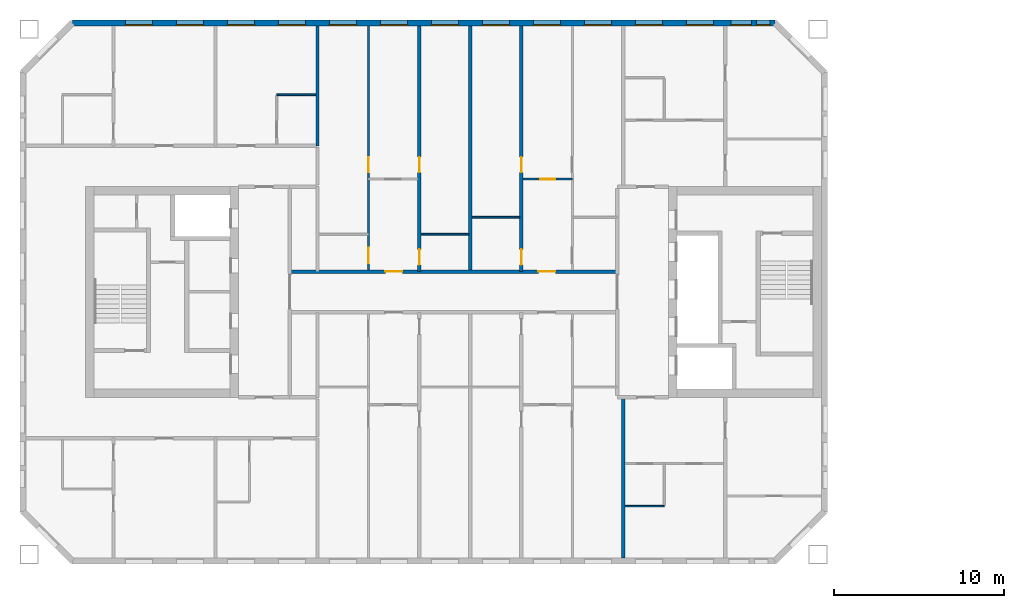
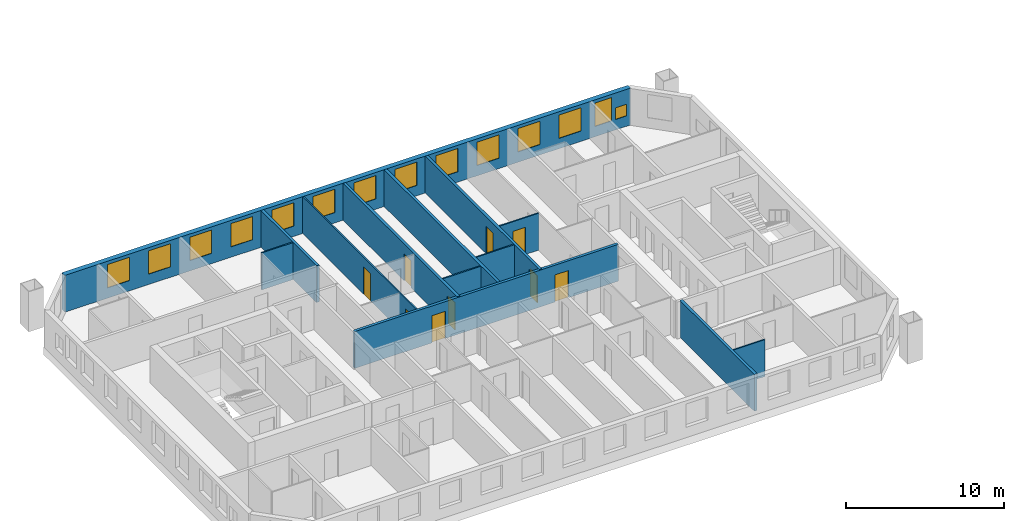
# One storey, part 5 of 15: 14 windows, 13 walls, 9 doors, 23 openings.
"""IFC4 building model written with IfcOpenShell, lengths in metres."""

from ifc_helpers import new_model, si_unit, direction, frame, frame_2d, origin, place, context, subcontext, project, spatial, rectangle, extrude, material, layer, layer_set, type_object, element, fill, save


model = new_model("IFC4")

# Units and contexts
model_context = context("Model", 3, precision=1e-05, world=origin(), true_north=direction((0.0, 1.0)))
body_context = subcontext(model_context, "Body", "Model", "MODEL_VIEW")
ifc_project = project(units=[si_unit("LENGTHUNIT", "METRE"), si_unit("AREAUNIT", "SQUARE_METRE"), si_unit("VOLUMEUNIT", "CUBIC_METRE"), si_unit("PLANEANGLEUNIT", "RADIAN"), si_unit("MASSUNIT", "GRAM", prefix="KILO")], contexts=[model_context])

# Site, building, storey
site_placement = place(None, origin())
site = spatial("IfcSite", under=ifc_project, at=site_placement, CompositionType="ELEMENT")
building_placement = place(site_placement, origin())
building = spatial("IfcBuilding", under=site, at=building_placement, Name="Tuart Gate Housing", CompositionType="ELEMENT")
storey_placement = place(building_placement, frame((0.0, 0.0, 148.5)))
storey = spatial("IfcBuildingStorey", under=building, at=storey_placement, Name="L41", CompositionType="ELEMENT", Elevation=148.5)

# Wall, openings, windows
ifc_material_1 = material(Name="Brick", Category="masonry")
ifc_layer_1 = layer(ifc_material_1, 0.360107421875)
ifc_layer_set_1 = layer_set([ifc_layer_1], Name="Brick pier and spandrel wall 360")
wall_type_1 = type_object("IfcWallType", Name="Brick pier and spandrel wall 360", PredefinedType="STANDARD", material=ifc_layer_set_1)
wall_1_placement = place(storey_placement, frame((72.92529296875, 85.820068359375, 0.0), z_axis=(0.0, 0.0, 1.0), x_axis=(-1.0, 0.0, 0.0)))
wall_1 = element("IfcWall", 1, at=wall_1_placement, inside=storey, type_object=wall_type_1, Name="External wall A-N L41", PredefinedType="STANDARD", context=body_context, shape_type="SweptSolid", body=[
    extrude(rectangle(XDim=41.350830078125, YDim=0.360107421875, at=frame_2d((20.67529296875, 0.0))), origin(), (0.0, 0.0, 1.0), 2.85009765625),
])
opening_1_placement = place(wall_1_placement, frame((0.300048828125, 0.0, 0.800048828125)))
opening_1 = element("IfcOpeningElement", 2, at=opening_1_placement, cuts=wall_1, Name="Opening W1V", PredefinedType="OPENING", context=body_context, shape_type="SweptSolid", body=[
    extrude(rectangle(XDim=0.800048828125, YDim=0.89990234375, at=frame_2d((0.39990234375, 0.449951171875))), frame((0.0, 0.18994140625, 0.0), z_axis=(0.0, -1.0, 0.0), x_axis=(1.0, 0.0, 0.0)), (0.0, 0.0, 1.0), 0.380126953125),
])
opening_2_placement = place(wall_1_placement, frame((3.62548828125, 0.0, 0.800048828125)))
opening_2 = element("IfcOpeningElement", 3, at=opening_2_placement, cuts=wall_1, Name="Opening W1", PredefinedType="OPENING", context=body_context, shape_type="SweptSolid", body=[
    extrude(rectangle(XDim=1.60009765625, YDim=1.800048828125, at=frame_2d((0.800048828125, 0.89990234375))), frame((0.0, 0.18994140625, 0.0), z_axis=(0.0, -1.0, 0.0), x_axis=(1.0, 0.0, 0.0)), (0.0, 0.0, 1.0), 0.380126953125),
])
opening_3_placement = place(wall_1_placement, frame((6.62548828125, 0.0, 0.800048828125)))
opening_3 = element("IfcOpeningElement", 4, at=opening_3_placement, cuts=wall_1, Name="Opening W1", PredefinedType="OPENING", context=body_context, shape_type="SweptSolid", body=[
    extrude(rectangle(XDim=1.60009765625, YDim=1.800048828125, at=frame_2d((0.800048828125, 0.89990234375))), frame((0.0, 0.18994140625, 0.0), z_axis=(0.0, -1.0, 0.0), x_axis=(1.0, 0.0, 0.0)), (0.0, 0.0, 1.0), 0.380126953125),
])
opening_4_placement = place(wall_1_placement, frame((9.62548828125, 0.0, 0.800048828125)))
opening_4 = element("IfcOpeningElement", 5, at=opening_4_placement, cuts=wall_1, Name="Opening W1", PredefinedType="OPENING", context=body_context, shape_type="SweptSolid", body=[
    extrude(rectangle(XDim=1.60009765625, YDim=1.800048828125, at=frame_2d((0.800048828125, 0.89990234375))), frame((0.0, 0.18994140625, 0.0), z_axis=(0.0, -1.0, 0.0), x_axis=(1.0, 0.0, 0.0)), (0.0, 0.0, 1.0), 0.380126953125),
])
opening_5_placement = place(wall_1_placement, frame((12.62548828125, 0.0, 0.800048828125)))
opening_5 = element("IfcOpeningElement", 6, at=opening_5_placement, cuts=wall_1, Name="Opening W1", PredefinedType="OPENING", context=body_context, shape_type="SweptSolid", body=[
    extrude(rectangle(XDim=1.60009765625, YDim=1.800048828125, at=frame_2d((0.800048828125, 0.89990234375))), frame((0.0, 0.18994140625, 0.0), z_axis=(0.0, -1.0, 0.0), x_axis=(1.0, 0.0, 0.0)), (0.0, 0.0, 1.0), 0.380126953125),
])
opening_6_placement = place(wall_1_placement, frame((15.62548828125, 0.0, 0.800048828125)))
opening_6 = element("IfcOpeningElement", 7, at=opening_6_placement, cuts=wall_1, Name="Opening W1", PredefinedType="OPENING", context=body_context, shape_type="SweptSolid", body=[
    extrude(rectangle(XDim=1.60009765625, YDim=1.800048828125, at=frame_2d((0.800048828125, 0.89990234375))), frame((0.0, 0.18994140625, 0.0), z_axis=(0.0, -1.0, 0.0), x_axis=(1.0, 0.0, 0.0)), (0.0, 0.0, 1.0), 0.380126953125),
])
opening_7_placement = place(wall_1_placement, frame((18.62548828125, 0.0, 0.800048828125)))
opening_7 = element("IfcOpeningElement", 8, at=opening_7_placement, cuts=wall_1, Name="Opening W1", PredefinedType="OPENING", context=body_context, shape_type="SweptSolid", body=[
    extrude(rectangle(XDim=1.60009765625, YDim=1.800048828125, at=frame_2d((0.800048828125, 0.89990234375))), frame((0.0, 0.18994140625, 0.0), z_axis=(0.0, -1.0, 0.0), x_axis=(1.0, 0.0, 0.0)), (0.0, 0.0, 1.0), 0.380126953125),
])
opening_8_placement = place(wall_1_placement, frame((21.62548828125, 0.0, 0.800048828125)))
opening_8 = element("IfcOpeningElement", 9, at=opening_8_placement, cuts=wall_1, Name="Opening W1", PredefinedType="OPENING", context=body_context, shape_type="SweptSolid", body=[
    extrude(rectangle(XDim=1.60009765625, YDim=1.800048828125, at=frame_2d((0.800048828125, 0.89990234375))), frame((0.0, 0.18994140625, 0.0), z_axis=(0.0, -1.0, 0.0), x_axis=(1.0, 0.0, 0.0)), (0.0, 0.0, 1.0), 0.380126953125),
])
opening_9_placement = place(wall_1_placement, frame((24.62548828125, 0.0, 0.800048828125)))
opening_9 = element("IfcOpeningElement", 10, at=opening_9_placement, cuts=wall_1, Name="Opening W1", PredefinedType="OPENING", context=body_context, shape_type="SweptSolid", body=[
    extrude(rectangle(XDim=1.60009765625, YDim=1.800048828125, at=frame_2d((0.800048828125, 0.89990234375))), frame((0.0, 0.18994140625, 0.0), z_axis=(0.0, -1.0, 0.0), x_axis=(1.0, 0.0, 0.0)), (0.0, 0.0, 1.0), 0.380126953125),
])
opening_10_placement = place(wall_1_placement, frame((27.62548828125, 0.0, 0.800048828125)))
opening_10 = element("IfcOpeningElement", 11, at=opening_10_placement, cuts=wall_1, Name="Opening W1", PredefinedType="OPENING", context=body_context, shape_type="SweptSolid", body=[
    extrude(rectangle(XDim=1.60009765625, YDim=1.800048828125, at=frame_2d((0.800048828125, 0.89990234375))), frame((0.0, 0.18994140625, 0.0), z_axis=(0.0, -1.0, 0.0), x_axis=(1.0, 0.0, 0.0)), (0.0, 0.0, 1.0), 0.380126953125),
])
opening_11_placement = place(wall_1_placement, frame((30.62548828125, 0.0, 0.800048828125)))
opening_11 = element("IfcOpeningElement", 12, at=opening_11_placement, cuts=wall_1, Name="Opening W1", PredefinedType="OPENING", context=body_context, shape_type="SweptSolid", body=[
    extrude(rectangle(XDim=1.60009765625, YDim=1.800048828125, at=frame_2d((0.800048828125, 0.89990234375))), frame((0.0, 0.18994140625, 0.0), z_axis=(0.0, -1.0, 0.0), x_axis=(1.0, 0.0, 0.0)), (0.0, 0.0, 1.0), 0.380126953125),
])
opening_12_placement = place(wall_1_placement, frame((33.62548828125, 0.0, 0.800048828125)))
opening_12 = element("IfcOpeningElement", 13, at=opening_12_placement, cuts=wall_1, Name="Opening W1", PredefinedType="OPENING", context=body_context, shape_type="SweptSolid", body=[
    extrude(rectangle(XDim=1.60009765625, YDim=1.800048828125, at=frame_2d((0.800048828125, 0.89990234375))), frame((0.0, 0.18994140625, 0.0), z_axis=(0.0, -1.0, 0.0), x_axis=(1.0, 0.0, 0.0)), (0.0, 0.0, 1.0), 0.380126953125),
])
opening_13_placement = place(wall_1_placement, frame((36.62548828125, 0.0, 0.800048828125)))
opening_13 = element("IfcOpeningElement", 14, at=opening_13_placement, cuts=wall_1, Name="Opening W1", PredefinedType="OPENING", context=body_context, shape_type="SweptSolid", body=[
    extrude(rectangle(XDim=1.60009765625, YDim=1.800048828125, at=frame_2d((0.800048828125, 0.89990234375))), frame((0.0, 0.18994140625, 0.0), z_axis=(0.0, -1.0, 0.0), x_axis=(1.0, 0.0, 0.0)), (0.0, 0.0, 1.0), 0.380126953125),
])
opening_14_placement = place(wall_1_placement, frame((1.39990234375, 0.0, 0.800048828125)))
opening_14 = element("IfcOpeningElement", 15, at=opening_14_placement, cuts=wall_1, Name="Opening W1B", PredefinedType="OPENING", context=body_context, shape_type="SweptSolid", body=[
    extrude(rectangle(XDim=1.199951171875, YDim=1.800048828125, at=frame_2d((0.60009765625, 0.89990234375))), frame((0.0, 0.18994140625, 0.0), z_axis=(0.0, -1.0, 0.0), x_axis=(1.0, 0.0, 0.0)), (0.0, 0.0, 1.0), 0.380126953125),
])
ifc_material_2 = material(Name="Aluminium frame with clear glass", Category="aluminium")
window_type_1 = type_object("IfcWindowType", Name="Punched window 1200 x 1800", PartitioningType="SINGLE_PANEL", PredefinedType="WINDOW", material=ifc_material_2)
window_1_placement = place(opening_14_placement, origin())
window_1 = element("IfcWindow", 16, at=window_1_placement, inside=storey, type_object=window_type_1, Name="Window W1B", OverallHeight=1.800048828125, OverallWidth=1.199951171875, PartitioningType="SINGLE_PANEL", PredefinedType="WINDOW", context=body_context, shape_type="SweptSolid", body=[
    extrude(rectangle(XDim=1.199951171875, YDim=1.800048828125, at=frame_2d((0.60009765625, 0.89990234375))), frame((0.0, 0.150146484375, 0.0), z_axis=(0.0, -1.0, 0.0), x_axis=(1.0, 0.0, 0.0)), (0.0, 0.0, 1.0), 0.06005859375),
])
fill(opening_14, window_1)
ifc_material_3 = material(Name="Aluminium frame with clear glass", Category="aluminium")
window_type_2 = type_object("IfcWindowType", Name="Punched window 1600 x 1800", PartitioningType="SINGLE_PANEL", PredefinedType="WINDOW", material=ifc_material_3)
window_2_placement = place(opening_2_placement, origin())
window_2 = element("IfcWindow", 17, at=window_2_placement, inside=storey, type_object=window_type_2, Name="Window W1", OverallHeight=1.800048828125, OverallWidth=1.60009765625, PartitioningType="SINGLE_PANEL", PredefinedType="WINDOW", context=body_context, shape_type="SweptSolid", body=[
    extrude(rectangle(XDim=1.60009765625, YDim=1.800048828125, at=frame_2d((0.800048828125, 0.89990234375))), frame((0.0, 0.150146484375, 0.0), z_axis=(0.0, -1.0, 0.0), x_axis=(1.0, 0.0, 0.0)), (0.0, 0.0, 1.0), 0.06005859375),
])
fill(opening_2, window_2)
window_3_placement = place(opening_3_placement, origin())
window_3 = element("IfcWindow", 18, at=window_3_placement, inside=storey, type_object=window_type_2, Name="Window W1", OverallHeight=1.800048828125, OverallWidth=1.60009765625, PartitioningType="SINGLE_PANEL", PredefinedType="WINDOW", context=body_context, shape_type="SweptSolid", body=[
    extrude(rectangle(XDim=1.60009765625, YDim=1.800048828125, at=frame_2d((0.800048828125, 0.89990234375))), frame((0.0, 0.150146484375, 0.0), z_axis=(0.0, -1.0, 0.0), x_axis=(1.0, 0.0, 0.0)), (0.0, 0.0, 1.0), 0.06005859375),
])
fill(opening_3, window_3)
window_4_placement = place(opening_4_placement, origin())
window_4 = element("IfcWindow", 19, at=window_4_placement, inside=storey, type_object=window_type_2, Name="Window W1", OverallHeight=1.800048828125, OverallWidth=1.60009765625, PartitioningType="SINGLE_PANEL", PredefinedType="WINDOW", context=body_context, shape_type="SweptSolid", body=[
    extrude(rectangle(XDim=1.60009765625, YDim=1.800048828125, at=frame_2d((0.800048828125, 0.89990234375))), frame((0.0, 0.150146484375, 0.0), z_axis=(0.0, -1.0, 0.0), x_axis=(1.0, 0.0, 0.0)), (0.0, 0.0, 1.0), 0.06005859375),
])
fill(opening_4, window_4)
window_5_placement = place(opening_5_placement, origin())
window_5 = element("IfcWindow", 20, at=window_5_placement, inside=storey, type_object=window_type_2, Name="Window W1", OverallHeight=1.800048828125, OverallWidth=1.60009765625, PartitioningType="SINGLE_PANEL", PredefinedType="WINDOW", context=body_context, shape_type="SweptSolid", body=[
    extrude(rectangle(XDim=1.60009765625, YDim=1.800048828125, at=frame_2d((0.800048828125, 0.89990234375))), frame((0.0, 0.150146484375, 0.0), z_axis=(0.0, -1.0, 0.0), x_axis=(1.0, 0.0, 0.0)), (0.0, 0.0, 1.0), 0.06005859375),
])
fill(opening_5, window_5)
window_6_placement = place(opening_6_placement, origin())
window_6 = element("IfcWindow", 21, at=window_6_placement, inside=storey, type_object=window_type_2, Name="Window W1", OverallHeight=1.800048828125, OverallWidth=1.60009765625, PartitioningType="SINGLE_PANEL", PredefinedType="WINDOW", context=body_context, shape_type="SweptSolid", body=[
    extrude(rectangle(XDim=1.60009765625, YDim=1.800048828125, at=frame_2d((0.800048828125, 0.89990234375))), frame((0.0, 0.150146484375, 0.0), z_axis=(0.0, -1.0, 0.0), x_axis=(1.0, 0.0, 0.0)), (0.0, 0.0, 1.0), 0.06005859375),
])
fill(opening_6, window_6)
window_7_placement = place(opening_7_placement, origin())
window_7 = element("IfcWindow", 22, at=window_7_placement, inside=storey, type_object=window_type_2, Name="Window W1", OverallHeight=1.800048828125, OverallWidth=1.60009765625, PartitioningType="SINGLE_PANEL", PredefinedType="WINDOW", context=body_context, shape_type="SweptSolid", body=[
    extrude(rectangle(XDim=1.60009765625, YDim=1.800048828125, at=frame_2d((0.800048828125, 0.89990234375))), frame((0.0, 0.150146484375, 0.0), z_axis=(0.0, -1.0, 0.0), x_axis=(1.0, 0.0, 0.0)), (0.0, 0.0, 1.0), 0.06005859375),
])
fill(opening_7, window_7)
window_8_placement = place(opening_8_placement, origin())
window_8 = element("IfcWindow", 23, at=window_8_placement, inside=storey, type_object=window_type_2, Name="Window W1", OverallHeight=1.800048828125, OverallWidth=1.60009765625, PartitioningType="SINGLE_PANEL", PredefinedType="WINDOW", context=body_context, shape_type="SweptSolid", body=[
    extrude(rectangle(XDim=1.60009765625, YDim=1.800048828125, at=frame_2d((0.800048828125, 0.89990234375))), frame((0.0, 0.150146484375, 0.0), z_axis=(0.0, -1.0, 0.0), x_axis=(1.0, 0.0, 0.0)), (0.0, 0.0, 1.0), 0.06005859375),
])
fill(opening_8, window_8)
window_9_placement = place(opening_9_placement, origin())
window_9 = element("IfcWindow", 24, at=window_9_placement, inside=storey, type_object=window_type_2, Name="Window W1", OverallHeight=1.800048828125, OverallWidth=1.60009765625, PartitioningType="SINGLE_PANEL", PredefinedType="WINDOW", context=body_context, shape_type="SweptSolid", body=[
    extrude(rectangle(XDim=1.60009765625, YDim=1.800048828125, at=frame_2d((0.800048828125, 0.89990234375))), frame((0.0, 0.150146484375, 0.0), z_axis=(0.0, -1.0, 0.0), x_axis=(1.0, 0.0, 0.0)), (0.0, 0.0, 1.0), 0.06005859375),
])
fill(opening_9, window_9)
window_10_placement = place(opening_10_placement, origin())
window_10 = element("IfcWindow", 25, at=window_10_placement, inside=storey, type_object=window_type_2, Name="Window W1", OverallHeight=1.800048828125, OverallWidth=1.60009765625, PartitioningType="SINGLE_PANEL", PredefinedType="WINDOW", context=body_context, shape_type="SweptSolid", body=[
    extrude(rectangle(XDim=1.60009765625, YDim=1.800048828125, at=frame_2d((0.800048828125, 0.89990234375))), frame((0.0, 0.150146484375, 0.0), z_axis=(0.0, -1.0, 0.0), x_axis=(1.0, 0.0, 0.0)), (0.0, 0.0, 1.0), 0.06005859375),
])
fill(opening_10, window_10)
window_11_placement = place(opening_11_placement, origin())
window_11 = element("IfcWindow", 26, at=window_11_placement, inside=storey, type_object=window_type_2, Name="Window W1", OverallHeight=1.800048828125, OverallWidth=1.60009765625, PartitioningType="SINGLE_PANEL", PredefinedType="WINDOW", context=body_context, shape_type="SweptSolid", body=[
    extrude(rectangle(XDim=1.60009765625, YDim=1.800048828125, at=frame_2d((0.800048828125, 0.89990234375))), frame((0.0, 0.150146484375, 0.0), z_axis=(0.0, -1.0, 0.0), x_axis=(1.0, 0.0, 0.0)), (0.0, 0.0, 1.0), 0.06005859375),
])
fill(opening_11, window_11)
window_12_placement = place(opening_12_placement, origin())
window_12 = element("IfcWindow", 27, at=window_12_placement, inside=storey, type_object=window_type_2, Name="Window W1", OverallHeight=1.800048828125, OverallWidth=1.60009765625, PartitioningType="SINGLE_PANEL", PredefinedType="WINDOW", context=body_context, shape_type="SweptSolid", body=[
    extrude(rectangle(XDim=1.60009765625, YDim=1.800048828125, at=frame_2d((0.800048828125, 0.89990234375))), frame((0.0, 0.150146484375, 0.0), z_axis=(0.0, -1.0, 0.0), x_axis=(1.0, 0.0, 0.0)), (0.0, 0.0, 1.0), 0.06005859375),
])
fill(opening_12, window_12)
window_13_placement = place(opening_13_placement, origin())
window_13 = element("IfcWindow", 28, at=window_13_placement, inside=storey, type_object=window_type_2, Name="Window W1", OverallHeight=1.800048828125, OverallWidth=1.60009765625, PartitioningType="SINGLE_PANEL", PredefinedType="WINDOW", context=body_context, shape_type="SweptSolid", body=[
    extrude(rectangle(XDim=1.60009765625, YDim=1.800048828125, at=frame_2d((0.800048828125, 0.89990234375))), frame((0.0, 0.150146484375, 0.0), z_axis=(0.0, -1.0, 0.0), x_axis=(1.0, 0.0, 0.0)), (0.0, 0.0, 1.0), 0.06005859375),
])
fill(opening_13, window_13)
ifc_material_4 = material(Name="Aluminium frame with clear glass", Category="aluminium")
window_type_3 = type_object("IfcWindowType", Name="Punched window 800 x 900", PartitioningType="SINGLE_PANEL", PredefinedType="WINDOW", material=ifc_material_4)
window_14_placement = place(opening_1_placement, origin())
window_14 = element("IfcWindow", 29, at=window_14_placement, inside=storey, type_object=window_type_3, Name="Window W1V", OverallHeight=0.89990234375, OverallWidth=0.800048828125, PartitioningType="SINGLE_PANEL", PredefinedType="WINDOW", context=body_context, shape_type="SweptSolid", body=[
    extrude(rectangle(XDim=0.800048828125, YDim=0.89990234375, at=frame_2d((0.39990234375, 0.449951171875))), frame((0.0, 0.150146484375, 0.0), z_axis=(0.0, -1.0, 0.0), x_axis=(1.0, 0.0, 0.0)), (0.0, 0.0, 1.0), 0.06005859375),
])
fill(opening_1, window_14)

# Wall, openings, doors
ifc_material_5 = material(Name="Concrete masonry 15 MPa", Category="masonry")
ifc_layer_2 = layer(ifc_material_5, 0.199951171875)
ifc_layer_set_2 = layer_set([ifc_layer_2], Name="Corridor wall masonry 200")
wall_type_2 = type_object("IfcWallType", Name="Corridor wall masonry 200", PredefinedType="PARTITIONING", material=ifc_layer_set_2)
wall_2_placement = place(storey_placement, frame((44.360107421875, 71.199951171875, 0.0), z_axis=(0.0, 0.0, 1.0), x_axis=(1.0, 0.0, 0.0)))
wall_2 = element("IfcWall", 30, at=wall_2_placement, inside=storey, type_object=wall_type_2, Name="Corridor wall masonry 200", PredefinedType="PARTITIONING", context=body_context, shape_type="SweptSolid", body=[
    extrude(rectangle(XDim=19.27978515625, YDim=0.199951171875, at=frame_2d((9.639892578125, 0.0))), origin(), (0.0, 0.0, 1.0), 2.85009765625),
])
opening_15_placement = place(wall_2_placement, frame((14.639892578125, 0.0, 0.0)))
opening_15 = element("IfcOpeningElement", 31, at=opening_15_placement, cuts=wall_2, Name="Opening D1540", PredefinedType="OPENING", context=body_context, shape_type="SweptSolid", body=[
    extrude(rectangle(XDim=1.0, YDim=2.10009765625, at=frame_2d((0.5, 1.050048828125))), frame((0.0, 0.10986328125, 0.0), z_axis=(0.0, -1.0, 0.0), x_axis=(1.0, 0.0, 0.0)), (0.0, 0.0, 1.0), 0.219970703125),
])
opening_16_placement = place(wall_2_placement, frame((5.639892578125, 0.0, 0.0)))
opening_16 = element("IfcOpeningElement", 32, at=opening_16_placement, cuts=wall_2, Name="Opening D1541", PredefinedType="OPENING", context=body_context, shape_type="SweptSolid", body=[
    extrude(rectangle(XDim=1.0, YDim=2.10009765625, at=frame_2d((0.5, 1.050048828125))), frame((0.0, 0.10986328125, 0.0), z_axis=(0.0, -1.0, 0.0), x_axis=(1.0, 0.0, 0.0)), (0.0, 0.0, 1.0), 0.219970703125),
])
ifc_material_6 = material(Name="Timber door leaf in steel frame", Category="steel")
door_type_1 = type_object("IfcDoorType", Name="Flat entrance door 1000", OperationType="SINGLE_SWING_LEFT", PredefinedType="DOOR", material=ifc_material_6)
door_1_placement = place(opening_15_placement, origin())
door_1 = element("IfcDoor", 33, at=door_1_placement, inside=storey, type_object=door_type_1, Name="Flat entrance door", OperationType="SINGLE_SWING_LEFT", OverallHeight=2.10009765625, OverallWidth=1.0, PredefinedType="DOOR", context=body_context, shape_type="SweptSolid", body=[
    extrude(rectangle(XDim=1.0, YDim=2.10009765625, at=frame_2d((0.5, 1.050048828125))), frame((0.0, 0.02490234375, 0.0), z_axis=(0.0, -1.0, 0.0), x_axis=(1.0, 0.0, 0.0)), (0.0, 0.0, 1.0), 0.050048828125),
])
fill(opening_15, door_1)
door_2_placement = place(opening_16_placement, origin())
door_2 = element("IfcDoor", 34, at=door_2_placement, inside=storey, type_object=door_type_1, Name="Flat entrance door", OperationType="SINGLE_SWING_LEFT", OverallHeight=2.10009765625, OverallWidth=1.0, PredefinedType="DOOR", context=body_context, shape_type="SweptSolid", body=[
    extrude(rectangle(XDim=1.0, YDim=2.10009765625, at=frame_2d((0.5, 1.050048828125))), frame((0.0, 0.02490234375, 0.0), z_axis=(0.0, -1.0, 0.0), x_axis=(1.0, 0.0, 0.0)), (0.0, 0.0, 1.0), 0.050048828125),
])
fill(opening_16, door_2)

# Walls
ifc_material_7 = material(Name="Gypsum board on steel studs", Category="steel")
ifc_layer_3 = layer(ifc_material_7, 0.10009765625)
ifc_layer_set_3 = layer_set([ifc_layer_3], Name="Partition 100")
wall_type_3 = type_object("IfcWallType", Name="Partition 100", PredefinedType="PARTITIONING", material=ifc_layer_set_3)
wall_3_placement = place(storey_placement, frame((64.10009765625, 57.39990234375, 0.0), z_axis=(0.0, 0.0, 1.0), x_axis=(1.0, 0.0, 0.0)))
element("IfcWall", 35, at=wall_3_placement, inside=storey, type_object=wall_type_3, Name="Partition 100", PredefinedType="PARTITIONING", context=body_context, shape_type="SweptSolid", body=[
    extrude(rectangle(XDim=2.2998046875, YDim=0.10009765625, at=frame_2d((1.14990234375, 0.0))), origin(), (0.0, 0.0, 1.0), 2.85009765625),
])
for number, where, z_axis, x_axis, name in (
    (36, (52.10009765625, 73.39990234375, 0.0), (0.0, 0.0, 1.0), (1.0, 0.0, 0.0), "Partition 100"),
    (37, (55.10009765625, 74.39990234375, 0.0), (0.0, 0.0, 1.0), (1.0, 0.0, 0.0), "Partition 100"),
):
    element("IfcWall", number, at=place(storey_placement, frame(where, z_axis=z_axis, x_axis=x_axis)), inside=storey, type_object=wall_type_3, Name=name, PredefinedType="PARTITIONING", context=body_context, shape_type="SweptSolid", body=[
        extrude(rectangle(XDim=2.7998046875, YDim=0.10009765625, at=frame_2d((1.39990234375, 0.0))), origin(), (0.0, 0.0, 1.0), 2.85009765625),
    ])

# Wall, opening, door
wall_4_placement = place(storey_placement, frame((58.10009765625, 76.639892578125, 0.0), z_axis=(0.0, 0.0, 1.0), x_axis=(1.0, 0.0, 0.0)))
wall_4 = element("IfcWall", 38, at=wall_4_placement, inside=storey, type_object=wall_type_3, Name="Partition 100", PredefinedType="PARTITIONING", context=body_context, shape_type="SweptSolid", body=[
    extrude(rectangle(XDim=2.89990234375, YDim=0.10009765625, at=frame_2d((1.449951171875, 0.0))), origin(), (0.0, 0.0, 1.0), 2.85009765625),
])
opening_17_placement = place(wall_4_placement, frame((1.0, 0.0, 0.0)))
opening_17 = element("IfcOpeningElement", 39, at=opening_17_placement, cuts=wall_4, Name="Opening D1534", PredefinedType="OPENING", context=body_context, shape_type="SweptSolid", body=[
    extrude(rectangle(XDim=0.89990234375, YDim=2.10009765625, at=frame_2d((0.449951171875, 1.050048828125))), frame((0.0, 0.06005859375, 0.0), z_axis=(0.0, -1.0, 0.0), x_axis=(1.0, 0.0, 0.0)), (0.0, 0.0, 1.0), 0.1201171875),
])
ifc_material_8 = material(Name="Timber door leaf in steel frame", Category="steel")
door_type_2 = type_object("IfcDoorType", Name="Internal door 900", OperationType="SINGLE_SWING_LEFT", PredefinedType="DOOR", material=ifc_material_8)
door_3_placement = place(opening_17_placement, frame((0.89990234375, 0.0, 0.0), z_axis=(0.0, 0.0, 1.0), x_axis=(-1.0, 0.0, 0.0)))
door_3 = element("IfcDoor", 40, at=door_3_placement, inside=storey, type_object=door_type_2, Name="Internal door", OperationType="SINGLE_SWING_LEFT", OverallHeight=2.10009765625, OverallWidth=0.89990234375, PredefinedType="DOOR", context=body_context, shape_type="SweptSolid", body=[
    extrude(rectangle(XDim=0.89990234375, YDim=2.10009765625, at=frame_2d((0.449951171875, 1.050048828125))), frame((0.0, 0.025146484375, 0.0), z_axis=(0.0, -1.0, 0.0), x_axis=(1.0, 0.0, 0.0)), (0.0, 0.0, 1.0), 0.050048828125),
])
fill(opening_17, door_3)

# Wall
wall_5_placement = place(storey_placement, frame((43.60009765625, 81.60009765625, 0.0), z_axis=(0.0, 0.0, 1.0), x_axis=(1.0, 0.0, 0.0)))
element("IfcWall", 41, at=wall_5_placement, inside=storey, type_object=wall_type_3, Name="Partition 100", PredefinedType="PARTITIONING", context=body_context, shape_type="SweptSolid", body=[
    extrude(rectangle(XDim=2.2998046875, YDim=0.10009765625, at=frame_2d((1.14990234375, 0.0))), origin(), (0.0, 0.0, 1.0), 2.85009765625),
])

# Wall, openings, doors
wall_6_placement = place(storey_placement, frame((49.0, 71.300048828125, 0.0), z_axis=(0.0, 0.0, 1.0), x_axis=(0.0, 1.0, 0.0)))
wall_6 = element("IfcWall", 42, at=wall_6_placement, inside=storey, type_object=wall_type_3, Name="Partition 100", PredefinedType="PARTITIONING", context=body_context, shape_type="SweptSolid", body=[
    extrude(rectangle(XDim=14.33984375, YDim=0.10009765625, at=frame_2d((7.169921875, 0.0))), origin(), (0.0, 0.0, 1.0), 2.85009765625),
])
opening_18_placement = place(wall_6_placement, frame((5.739990234375, 0.0, 0.0)))
opening_18 = element("IfcOpeningElement", 43, at=opening_18_placement, cuts=wall_6, Name="Opening D1526", PredefinedType="OPENING", context=body_context, shape_type="SweptSolid", body=[
    extrude(rectangle(XDim=0.89990234375, YDim=2.10009765625, at=frame_2d((0.449951171875, 1.050048828125))), frame((0.0, 0.06005859375, 0.0), z_axis=(0.0, -1.0, 0.0), x_axis=(1.0, 0.0, 0.0)), (0.0, 0.0, 1.0), 0.1201171875),
])
opening_19_placement = place(wall_6_placement, frame((0.39990234375, 0.0, 0.0)))
opening_19 = element("IfcOpeningElement", 44, at=opening_19_placement, cuts=wall_6, Name="Opening D1525", PredefinedType="OPENING", context=body_context, shape_type="SweptSolid", body=[
    extrude(rectangle(XDim=0.89990234375, YDim=2.10009765625, at=frame_2d((0.449951171875, 1.050048828125))), frame((0.0, 0.06005859375, 0.0), z_axis=(0.0, -1.0, 0.0), x_axis=(1.0, 0.0, 0.0)), (0.0, 0.0, 1.0), 0.1201171875),
])
ifc_material_9 = material(Name="Timber door leaf in steel frame", Category="steel")
door_type_3 = type_object("IfcDoorType", Name="Bathroom door 900", OperationType="SINGLE_SWING_LEFT", PredefinedType="DOOR", material=ifc_material_9)
door_4_placement = place(opening_19_placement, origin())
door_4 = element("IfcDoor", 45, at=door_4_placement, inside=storey, type_object=door_type_3, Name="Bathroom door", OperationType="SINGLE_SWING_LEFT", OverallHeight=2.10009765625, OverallWidth=0.89990234375, PredefinedType="DOOR", context=body_context, shape_type="SweptSolid", body=[
    extrude(rectangle(XDim=0.89990234375, YDim=2.10009765625, at=frame_2d((0.449951171875, 1.050048828125))), frame((0.0, 0.02490234375, 0.0), z_axis=(0.0, -1.0, 0.0), x_axis=(1.0, 0.0, 0.0)), (0.0, 0.0, 1.0), 0.050048828125),
])
fill(opening_19, door_4)
door_5_placement = place(opening_18_placement, origin())
door_5 = element("IfcDoor", 46, at=door_5_placement, inside=storey, type_object=door_type_2, Name="Internal door", OperationType="SINGLE_SWING_LEFT", OverallHeight=2.10009765625, OverallWidth=0.89990234375, PredefinedType="DOOR", context=body_context, shape_type="SweptSolid", body=[
    extrude(rectangle(XDim=0.89990234375, YDim=2.10009765625, at=frame_2d((0.449951171875, 1.050048828125))), frame((0.0, 0.02490234375, 0.0), z_axis=(0.0, -1.0, 0.0), x_axis=(1.0, 0.0, 0.0)), (0.0, 0.0, 1.0), 0.050048828125),
])
fill(opening_18, door_5)

# Wall
ifc_material_10 = material(Name="Concrete C40", Category="concrete")
ifc_layer_4 = layer(ifc_material_10, 0.199951171875)
ifc_layer_set_4 = layer_set([ifc_layer_4], Name="Party wall concrete C40 200")
wall_type_4 = type_object("IfcWallType", Name="Party wall concrete C40 200", PredefinedType="SOLIDWALL", material=ifc_layer_set_4)
wall_7_placement = place(storey_placement, frame((46.0, 78.60009765625, 0.0), z_axis=(0.0, 0.0, 1.0), x_axis=(0.0, 1.0, 0.0)))
element("IfcWall", 47, at=wall_7_placement, inside=storey, type_object=wall_type_4, Name="Party wall concrete C40 200", PredefinedType="SOLIDWALL", context=body_context, shape_type="SweptSolid", body=[
    extrude(rectangle(XDim=7.039794921875, YDim=0.199951171875, at=frame_2d((3.52001953125, 0.0))), origin(), (0.0, 0.0, 1.0), 2.85009765625),
])

# Wall, openings, doors
wall_8_placement = place(storey_placement, frame((52.0, 71.199951171875, 0.0), z_axis=(0.0, 0.0, 1.0), x_axis=(0.0, 1.0, 0.0)))
wall_8 = element("IfcWall", 48, at=wall_8_placement, inside=storey, type_object=wall_type_4, Name="Party wall concrete C40 200", PredefinedType="SOLIDWALL", context=body_context, shape_type="SweptSolid", body=[
    extrude(rectangle(XDim=14.43994140625, YDim=0.199951171875, at=frame_2d((7.219970703125, 0.0))), origin(), (0.0, 0.0, 1.0), 2.85009765625),
])
opening_20_placement = place(wall_8_placement, frame((5.840087890625, 0.0, 0.0)))
opening_20 = element("IfcOpeningElement", 49, at=opening_20_placement, cuts=wall_8, Name="Opening D1530", PredefinedType="OPENING", context=body_context, shape_type="SweptSolid", body=[
    extrude(rectangle(XDim=0.89990234375, YDim=2.10009765625, at=frame_2d((0.449951171875, 1.050048828125))), frame((0.0, 0.10986328125, 0.0), z_axis=(0.0, -1.0, 0.0), x_axis=(1.0, 0.0, 0.0)), (0.0, 0.0, 1.0), 0.219970703125),
])
opening_21_placement = place(wall_8_placement, frame((0.39990234375, 0.0, 0.0)))
opening_21 = element("IfcOpeningElement", 50, at=opening_21_placement, cuts=wall_8, Name="Opening D1529", PredefinedType="OPENING", context=body_context, shape_type="SweptSolid", body=[
    extrude(rectangle(XDim=0.89990234375, YDim=2.10009765625, at=frame_2d((0.449951171875, 1.050048828125))), frame((0.0, 0.10986328125, 0.0), z_axis=(0.0, -1.0, 0.0), x_axis=(1.0, 0.0, 0.0)), (0.0, 0.0, 1.0), 0.219970703125),
])
ifc_material_11 = material(Name="Timber door leaf in steel frame", Category="steel")
door_type_4 = type_object("IfcDoorType", Name="Bathroom door 900 RH", OperationType="SINGLE_SWING_RIGHT", PredefinedType="DOOR", material=ifc_material_11)
door_6_placement = place(opening_21_placement, frame((0.89990234375, 0.0, 0.0), z_axis=(0.0, 0.0, 1.0), x_axis=(-1.0, 0.0, 0.0)))
door_6 = element("IfcDoor", 51, at=door_6_placement, inside=storey, type_object=door_type_4, Name="Bathroom door", OperationType="SINGLE_SWING_RIGHT", OverallHeight=2.10009765625, OverallWidth=0.89990234375, PredefinedType="DOOR", context=body_context, shape_type="SweptSolid", body=[
    extrude(rectangle(XDim=0.89990234375, YDim=2.10009765625, at=frame_2d((0.449951171875, 1.050048828125))), frame((0.0, 0.025146484375, 0.0), z_axis=(0.0, -1.0, 0.0), x_axis=(1.0, 0.0, 0.0)), (0.0, 0.0, 1.0), 0.050048828125),
])
fill(opening_21, door_6)
ifc_material_12 = material(Name="Timber door leaf in steel frame", Category="steel")
door_type_5 = type_object("IfcDoorType", Name="Internal door 900 RH", OperationType="SINGLE_SWING_RIGHT", PredefinedType="DOOR", material=ifc_material_12)
door_7_placement = place(opening_20_placement, frame((0.89990234375, 0.0, 0.0), z_axis=(0.0, 0.0, 1.0), x_axis=(-1.0, 0.0, 0.0)))
door_7 = element("IfcDoor", 52, at=door_7_placement, inside=storey, type_object=door_type_5, Name="Internal door", OperationType="SINGLE_SWING_RIGHT", OverallHeight=2.10009765625, OverallWidth=0.89990234375, PredefinedType="DOOR", context=body_context, shape_type="SweptSolid", body=[
    extrude(rectangle(XDim=0.89990234375, YDim=2.10009765625, at=frame_2d((0.449951171875, 1.050048828125))), frame((0.0, 0.025146484375, 0.0), z_axis=(0.0, -1.0, 0.0), x_axis=(1.0, 0.0, 0.0)), (0.0, 0.0, 1.0), 0.050048828125),
])
fill(opening_20, door_7)

wall_9_placement = place(storey_placement, frame((58.0, 71.199951171875, 0.0), z_axis=(0.0, 0.0, 1.0), x_axis=(0.0, 1.0, 0.0)))
wall_9 = element("IfcWall", 53, at=wall_9_placement, inside=storey, type_object=wall_type_4, Name="Party wall concrete C40 200", PredefinedType="SOLIDWALL", context=body_context, shape_type="SweptSolid", body=[
    extrude(rectangle(XDim=14.43994140625, YDim=0.199951171875, at=frame_2d((7.219970703125, 0.0))), origin(), (0.0, 0.0, 1.0), 2.85009765625),
])
opening_22_placement = place(wall_9_placement, frame((5.840087890625, 0.0, 0.0)))
opening_22 = element("IfcOpeningElement", 54, at=opening_22_placement, cuts=wall_9, Name="Opening D1532", PredefinedType="OPENING", context=body_context, shape_type="SweptSolid", body=[
    extrude(rectangle(XDim=0.89990234375, YDim=2.10009765625, at=frame_2d((0.449951171875, 1.050048828125))), frame((0.0, 0.10986328125, 0.0), z_axis=(0.0, -1.0, 0.0), x_axis=(1.0, 0.0, 0.0)), (0.0, 0.0, 1.0), 0.219970703125),
])
opening_23_placement = place(wall_9_placement, frame((0.39990234375, 0.0, 0.0)))
opening_23 = element("IfcOpeningElement", 55, at=opening_23_placement, cuts=wall_9, Name="Opening D1531", PredefinedType="OPENING", context=body_context, shape_type="SweptSolid", body=[
    extrude(rectangle(XDim=0.89990234375, YDim=2.10009765625, at=frame_2d((0.449951171875, 1.050048828125))), frame((0.0, 0.10986328125, 0.0), z_axis=(0.0, -1.0, 0.0), x_axis=(1.0, 0.0, 0.0)), (0.0, 0.0, 1.0), 0.219970703125),
])
door_8_placement = place(opening_23_placement, origin())
door_8 = element("IfcDoor", 56, at=door_8_placement, inside=storey, type_object=door_type_3, Name="Bathroom door", OperationType="SINGLE_SWING_LEFT", OverallHeight=2.10009765625, OverallWidth=0.89990234375, PredefinedType="DOOR", context=body_context, shape_type="SweptSolid", body=[
    extrude(rectangle(XDim=0.89990234375, YDim=2.10009765625, at=frame_2d((0.449951171875, 1.050048828125))), frame((0.0, 0.02490234375, 0.0), z_axis=(0.0, -1.0, 0.0), x_axis=(1.0, 0.0, 0.0)), (0.0, 0.0, 1.0), 0.050048828125),
])
fill(opening_23, door_8)
door_9_placement = place(opening_22_placement, origin())
door_9 = element("IfcDoor", 57, at=door_9_placement, inside=storey, type_object=door_type_2, Name="Internal door", OperationType="SINGLE_SWING_LEFT", OverallHeight=2.10009765625, OverallWidth=0.89990234375, PredefinedType="DOOR", context=body_context, shape_type="SweptSolid", body=[
    extrude(rectangle(XDim=0.89990234375, YDim=2.10009765625, at=frame_2d((0.449951171875, 1.050048828125))), frame((0.0, 0.02490234375, 0.0), z_axis=(0.0, -1.0, 0.0), x_axis=(1.0, 0.0, 0.0)), (0.0, 0.0, 1.0), 0.050048828125),
])
fill(opening_22, door_9)

# Walls
wall_10_placement = place(storey_placement, frame((64.0, 54.360107421875, 0.0), z_axis=(0.0, 0.0, 1.0), x_axis=(0.0, 1.0, 0.0)))
element("IfcWall", 58, at=wall_10_placement, inside=storey, type_object=wall_type_4, Name="Party wall concrete C40 200", PredefinedType="SOLIDWALL", context=body_context, shape_type="SweptSolid", body=[
    extrude(rectangle(XDim=9.43994140625, YDim=0.199951171875, at=frame_2d((4.719970703125, 0.0))), origin(), (0.0, 0.0, 1.0), 2.85009765625),
])
ifc_material_13 = material(Name="Concrete masonry 15 MPa", Category="masonry")
ifc_layer_5 = layer(ifc_material_13, 0.199951171875)
ifc_layer_set_5 = layer_set([ifc_layer_5], Name="Party wall masonry 200")
wall_type_5 = type_object("IfcWallType", Name="Party wall masonry 200", PredefinedType="PARTITIONING", material=ifc_layer_set_5)
wall_11_placement = place(storey_placement, frame((55.0, 71.300048828125, 0.0), z_axis=(0.0, 0.0, 1.0), x_axis=(0.0, 1.0, 0.0)))
element("IfcWall", 59, at=wall_11_placement, inside=storey, type_object=wall_type_5, Name="Party wall masonry 200", PredefinedType="PARTITIONING", context=body_context, shape_type="SweptSolid", body=[
    extrude(rectangle(XDim=14.33984375, YDim=0.199951171875, at=frame_2d((7.169921875, 0.0))), origin(), (0.0, 0.0, 1.0), 2.85009765625),
])

save(model, "model.ifc")
